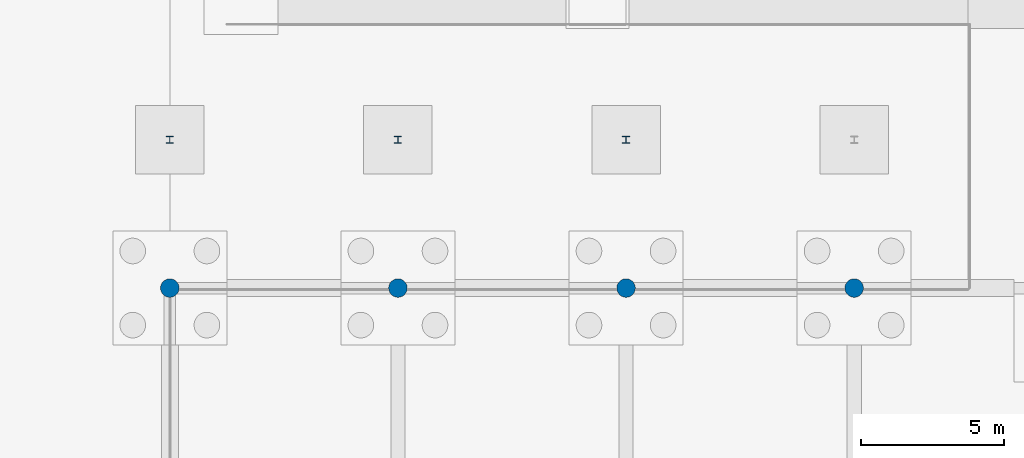
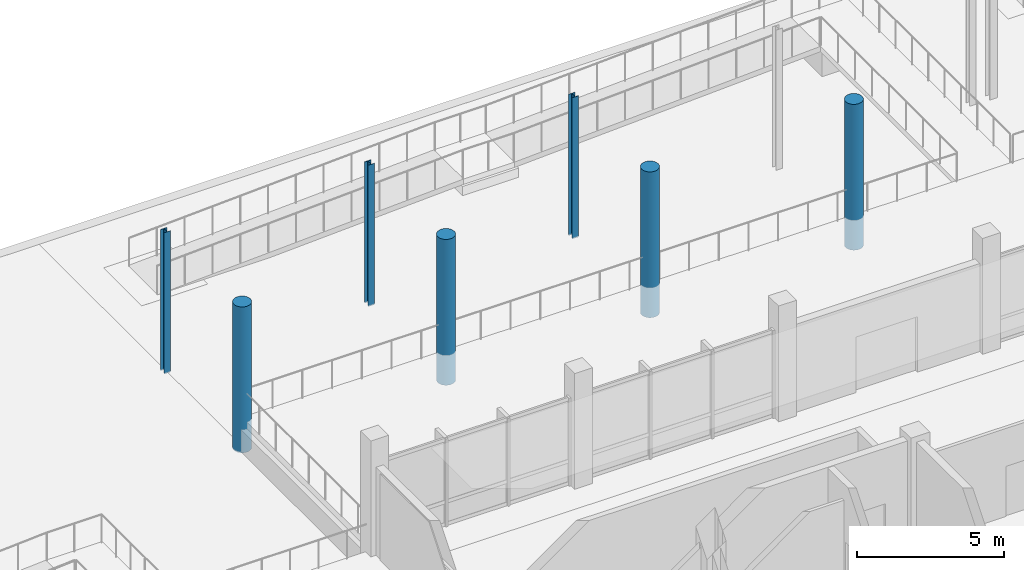
# One storey, part 15 of 72: 7 columns.
"""IFC4 building model written with IfcOpenShell, lengths in metres."""

from ifc_helpers import new_model, si_unit, direction, frame, origin, origin_2d, place, context, subcontext, project, spatial, circle, i_section, extrude, material, material_profile, profile_set, type_object, element, save


model = new_model("IFC4")

# Units and contexts
model_context = context("Model", 3, precision=1e-05, world=origin(), true_north=direction((0.0, 1.0)))
body_context = subcontext(model_context, "Body", "Model", "MODEL_VIEW")
ifc_project = project(units=[si_unit("LENGTHUNIT", "METRE"), si_unit("AREAUNIT", "SQUARE_METRE"), si_unit("VOLUMEUNIT", "CUBIC_METRE"), si_unit("PLANEANGLEUNIT", "RADIAN"), si_unit("MASSUNIT", "GRAM", prefix="KILO"), si_unit("THERMODYNAMICTEMPERATUREUNIT", "KELVIN"), si_unit("POWERUNIT", "WATT")], contexts=[model_context])

# Site, building, storey
site_placement = place(None, origin())
site = spatial("IfcSite", under=ifc_project, at=site_placement, CompositionType="ELEMENT")
building_placement = place(site_placement, origin())
building = spatial("IfcBuilding", under=site, at=building_placement, Name="Kronsvod Quay Wholesale Market", CompositionType="ELEMENT")
storey_placement = place(building_placement, origin())
storey = spatial("IfcBuildingStorey", under=building, at=storey_placement, Name="L00", CompositionType="ELEMENT", Elevation=0.0)

# Columns
ifc_material_1 = material(Name="Precast concrete C40/50", Category="concrete")
ifc_material_profile_1 = material_profile(ifc_material_1, circle(Radius=0.324951171875, at=origin_2d()), Name="PCPIL650D")
ifc_profile_set_1 = profile_set([ifc_material_profile_1], Name="Precast concrete C40/50")
column_type_1 = type_object("IfcColumnType", Name="Col_Pilotis650D", PredefinedType="COLUMN", material=ifc_profile_set_1)
for number, where, z_axis, x_axis, name in (
    (1, (32.0, 126.0, -1.25), (0.0, 0.0, 1.0), (1.0, 0.0, 0.0), "COLG-L00-320-1260"),
    (2, (40.0, 126.0, -1.25), (0.0, 0.0, 1.0), (1.0, 0.0, 0.0), "COLG-L00-400-1260"),
    (3, (48.0, 126.0, -1.25), (0.0, 0.0, 1.0), (1.0, 0.0, 0.0), "COLG-L00-480-1260"),
    (4, (56.0, 126.0, -1.25), (0.0, 0.0, 1.0), (1.0, 0.0, 0.0), "COLG-L00-560-1260"),
):
    element("IfcColumn", number, at=place(storey_placement, frame(where, z_axis=z_axis, x_axis=x_axis)), inside=storey, type_object=column_type_1, Name=name, PredefinedType="COLUMN", context=body_context, shape_type="SweptSolid", body=[
        extrude(circle(Radius=0.324951171875, at=origin_2d()), origin(), (0.0, 0.0, 1.0), 6.050048828125),
    ])
ifc_material_2 = material(Name="Steel S355", Category="steel")
ifc_material_profile_2 = material_profile(ifc_material_2, i_section(OverallWidth=0.2490234375, OverallDepth=0.24609375, WebThickness=0.008056640625, FlangeThickness=0.011962890625, FilletRadius=0.014892578125, at=origin_2d()), Name="25K1")
ifc_profile_set_2 = profile_set([ifc_material_profile_2], Name="Steel S355")
column_type_2 = type_object("IfcColumnType", Name="Col_Steel25K1", PredefinedType="COLUMN", material=ifc_profile_set_2)
for number, where, z_axis, x_axis, name in (
    (5, (32.0, 131.199951171875, -1.25), (0.0, 0.0, 1.0), (1.0, 0.0, 0.0), "SCOL-CAN-L00-01"),
    (6, (40.0, 131.199951171875, -1.25), (0.0, 0.0, 1.0), (1.0, 0.0, 0.0), "SCOL-CAN-L00-02"),
    (7, (48.0, 131.199951171875, -1.25), (0.0, 0.0, 1.0), (1.0, 0.0, 0.0), "SCOL-CAN-L00-03"),
):
    element("IfcColumn", number, at=place(storey_placement, frame(where, z_axis=z_axis, x_axis=x_axis)), inside=storey, type_object=column_type_2, Name=name, PredefinedType="COLUMN", context=body_context, shape_type="SweptSolid", body=[
        extrude(i_section(OverallWidth=0.2490234375, OverallDepth=0.24609375, WebThickness=0.008056640625, FlangeThickness=0.011962890625, FilletRadius=0.014892578125, at=origin_2d()), origin(), (0.0, 0.0, 1.0), 5.860107421875),
    ])

save(model, "model.ifc")
